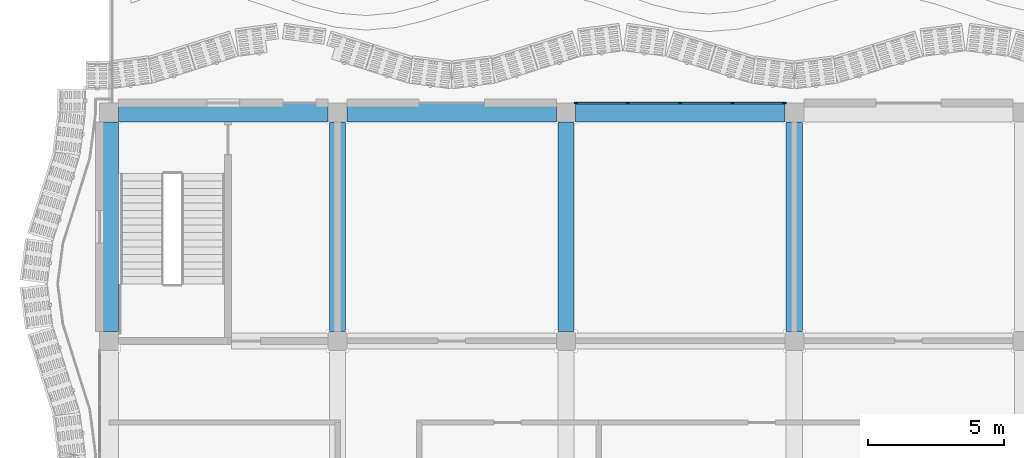
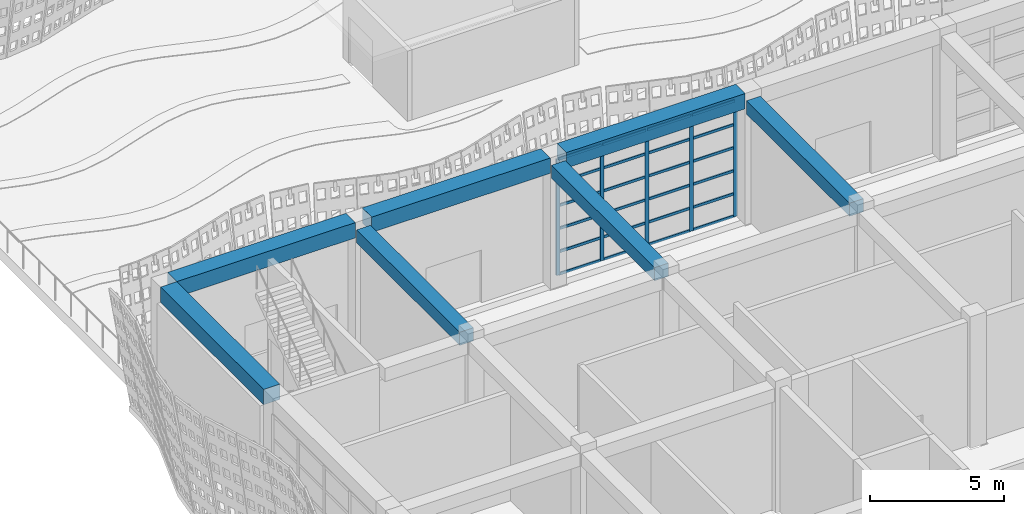
# One storey, part 26 of 210: 29 members, 7 beams, 1 element without a shape of its own.
"""IFC4 building model written with IfcOpenShell, lengths in metres."""

from ifc_helpers import new_model, si_unit, direction, frame, origin, origin_2d, place, context, subcontext, project, spatial, rectangle, extrude, material, material_profile, profile_set, type_object, element, aggregate, save


model = new_model("IFC4")

# Units and contexts
model_context = context("Model", 3, precision=1e-05, world=origin(), true_north=direction((0.0, 1.0)))
body_context = subcontext(model_context, "Body", "Model", "MODEL_VIEW")
ifc_project = project(units=[si_unit("LENGTHUNIT", "METRE"), si_unit("AREAUNIT", "SQUARE_METRE"), si_unit("VOLUMEUNIT", "CUBIC_METRE"), si_unit("PLANEANGLEUNIT", "RADIAN"), si_unit("MASSUNIT", "GRAM", prefix="KILO")], contexts=[model_context])

# Site, building, storey
site_placement = place(None, origin())
site = spatial("IfcSite", under=ifc_project, at=site_placement, CompositionType="ELEMENT")
building_placement = place(site_placement, origin())
building = spatial("IfcBuilding", under=site, at=building_placement, Name="Rain Tree Exposition and Congress Centre", CompositionType="ELEMENT")
storey_placement = place(building_placement, origin())
storey = spatial("IfcBuildingStorey", under=building, at=storey_placement, Name="L00", CompositionType="ELEMENT", Elevation=0.0)

# Beams
ifc_material_1 = material(Name="Precast concrete C50/60", Category="concrete")
ifc_material_profile_1 = material_profile(ifc_material_1, rectangle(XDim=0.60009765625, YDim=0.60009765625, at=origin_2d()), Name="RC 600x600")
ifc_profile_set_1 = profile_set([ifc_material_profile_1], Name="Precast concrete C50/60")
beam_type_1 = type_object("IfcBeamType", Name="Precast beam 600x600", PredefinedType="BEAM", material=ifc_profile_set_1)
for number, where, z_axis, x_axis, name in (
    (1, (8.39990234375, 42.35009765625, 5.35009765625), (0.0, 1.0, 0.0), (-1.0, 0.0, 0.0), "wing/beam/L00/L01/024"),
    (2, (16.800048828125, 42.35009765625, 5.35009765625), (0.0, 1.0, 0.0), (-1.0, 0.0, 0.0), "wing/beam/L00/L01/032"),
    (3, (25.199951171875, 42.35009765625, 5.35009765625), (0.0, 1.0, 0.0), (-1.0, 0.0, 0.0), "wing/beam/L00/L01/040"),
):
    element("IfcBeam", number, at=place(storey_placement, frame(where, z_axis=z_axis, x_axis=x_axis)), inside=storey, type_object=beam_type_1, Name=name, PredefinedType="BEAM", context=body_context, shape_type="SweptSolid", body=[
        extrude(rectangle(XDim=0.60009765625, YDim=0.60009765625, at=origin_2d()), origin(), (0.0, 0.0, 1.0), 7.699951171875),
    ])
ifc_material_2 = material(Name="Precast concrete C50/60", Category="concrete")
ifc_material_profile_2 = material_profile(ifc_material_2, rectangle(XDim=0.699951171875, YDim=0.699951171875, at=origin_2d()), Name="RC 700x700")
ifc_profile_set_2 = profile_set([ifc_material_profile_2], Name="Precast concrete C50/60")
beam_type_2 = type_object("IfcBeamType", Name="Precast spandrel beam 700x700", PredefinedType="SPANDREL", material=ifc_profile_set_2)
for number, where, z_axis, x_axis, name in (
    (4, (0.0, 42.35009765625, 5.64990234375), (0.0, 1.0, 0.0), (-1.0, 0.0, 0.0), "wing/beam/L00/L01/012"),
    (5, (0.35009765625, 50.39990234375, 5.64990234375), (1.0, 0.0, 0.0), (0.0, 1.0, 0.0), "wing/beam/L00/L01/061"),
    (6, (8.75, 50.39990234375, 5.64990234375), (1.0, 0.0, 0.0), (0.0, 1.0, 0.0), "wing/beam/L00/L01/063"),
):
    element("IfcBeam", number, at=place(storey_placement, frame(where, z_axis=z_axis, x_axis=x_axis)), inside=storey, type_object=beam_type_2, Name=name, PredefinedType="SPANDREL", context=body_context, shape_type="SweptSolid", body=[
        extrude(rectangle(XDim=0.699951171875, YDim=0.699951171875, at=origin_2d()), origin(), (0.0, 0.0, 1.0), 7.699951171875),
    ])
beam_placement = place(storey_placement, frame((17.14990234375, 50.39990234375, 5.64990234375), z_axis=(1.0, 0.0, 0.0), x_axis=(0.0, 1.0, 0.0)))
element("IfcBeam", 7, at=beam_placement, inside=storey, type_object=beam_type_2, Name="wing/beam/L00/L01/065", PredefinedType="SPANDREL", context=body_context, shape_type="SweptSolid", body=[
    extrude(rectangle(XDim=0.699951171875, YDim=0.699951171875, at=origin_2d()), origin(), (0.0, 0.0, 1.0), 7.7001953125),
])

# Curtain wall, members
ifc_material_3 = material(Name="Aluminium curtain wall", Category="aluminium")
curtain_wall_type = type_object("IfcCurtainWallType", Name="Wing curtain wall 1925", PredefinedType="NOTDEFINED", material=ifc_material_3)
curtain_wall_placement = place(storey_placement, origin())
curtain_wall = element("IfcCurtainWall", 8, at=curtain_wall_placement, inside=storey, type_object=curtain_wall_type, Name="Curtain wall CWW104", PredefinedType="NOTDEFINED")
ifc_material_4 = material(Name="Aluminium", Category="aluminium")
ifc_material_profile_3 = material_profile(ifc_material_4, rectangle(XDim=0.06005859375, YDim=0.159912109375, at=origin_2d()), Name="Aluminium 60x160")
ifc_profile_set_3 = profile_set([ifc_material_profile_3], Name="Aluminium")
member_type_1 = type_object("IfcMemberType", Name="Wing mullion 60x160", PredefinedType="MULLION", material=ifc_profile_set_3)
member_1_placement = place(storey_placement, frame((17.179931640625, 50.75, 0.0), z_axis=(0.0, 0.0, 1.0), x_axis=(0.0, 1.0, 0.0)))
member_1 = element("IfcMember", 9, at=member_1_placement, type_object=member_type_1, Name="CWW104 mullion 1", PredefinedType="MULLION", context=body_context, shape_type="SweptSolid", body=[
    extrude(rectangle(XDim=0.06005859375, YDim=0.159912109375, at=origin_2d()), origin(), (0.0, 0.0, 1.0), 5.300048828125),
])
member_2_placement = place(storey_placement, frame((19.074951171875, 50.75, 0.0), z_axis=(0.0, 0.0, 1.0), x_axis=(0.0, 1.0, 0.0)))
member_2 = element("IfcMember", 10, at=member_2_placement, type_object=member_type_1, Name="CWW104 mullion 2", PredefinedType="MULLION", context=body_context, shape_type="SweptSolid", body=[
    extrude(rectangle(XDim=0.06005859375, YDim=0.159912109375, at=origin_2d()), origin(), (0.0, 0.0, 1.0), 5.300048828125),
])
member_3_placement = place(storey_placement, frame((21.0, 50.75, 0.0), z_axis=(0.0, 0.0, 1.0), x_axis=(0.0, 1.0, 0.0)))
member_3 = element("IfcMember", 11, at=member_3_placement, type_object=member_type_1, Name="CWW104 mullion 3", PredefinedType="MULLION", context=body_context, shape_type="SweptSolid", body=[
    extrude(rectangle(XDim=0.06005859375, YDim=0.159912109375, at=origin_2d()), origin(), (0.0, 0.0, 1.0), 5.300048828125),
])
member_4_placement = place(storey_placement, frame((22.925048828125, 50.75, 0.0), z_axis=(0.0, 0.0, 1.0), x_axis=(0.0, 1.0, 0.0)))
member_4 = element("IfcMember", 12, at=member_4_placement, type_object=member_type_1, Name="CWW104 mullion 4", PredefinedType="MULLION", context=body_context, shape_type="SweptSolid", body=[
    extrude(rectangle(XDim=0.06005859375, YDim=0.159912109375, at=origin_2d()), origin(), (0.0, 0.0, 1.0), 5.300048828125),
])
member_5_placement = place(storey_placement, frame((24.820068359375, 50.75, 0.0), z_axis=(0.0, 0.0, 1.0), x_axis=(0.0, 1.0, 0.0)))
member_5 = element("IfcMember", 13, at=member_5_placement, type_object=member_type_1, Name="CWW104 mullion 5", PredefinedType="MULLION", context=body_context, shape_type="SweptSolid", body=[
    extrude(rectangle(XDim=0.06005859375, YDim=0.159912109375, at=origin_2d()), origin(), (0.0, 0.0, 1.0), 5.300048828125),
])
ifc_material_5 = material(Name="Aluminium", Category="aluminium")
ifc_material_profile_4 = material_profile(ifc_material_5, rectangle(XDim=0.06005859375, YDim=0.1201171875, at=origin_2d()), Name="Aluminium 60x120")
ifc_profile_set_4 = profile_set([ifc_material_profile_4], Name="Aluminium")
member_type_2 = type_object("IfcMemberType", Name="Wing transom 60x120", PredefinedType="USERDEFINED", material=ifc_profile_set_4)
member_6_placement = place(storey_placement, frame((17.2099609375, 50.75, 0.030029296875), z_axis=(1.0, 0.0, 0.0), x_axis=(0.0, 1.0, 0.0)))
member_6 = element("IfcMember", 14, at=member_6_placement, type_object=member_type_2, Name="CWW104 transom 1.1", ObjectType="TRANSOM", PredefinedType="USERDEFINED", context=body_context, shape_type="SweptSolid", body=[
    extrude(rectangle(XDim=0.06005859375, YDim=0.1201171875, at=origin_2d()), origin(), (0.0, 0.0, 1.0), 1.8349609375),
])
member_7_placement = place(storey_placement, frame((17.2099609375, 50.75, 1.050048828125), z_axis=(1.0, 0.0, 0.0), x_axis=(0.0, 1.0, 0.0)))
member_7 = element("IfcMember", 15, at=member_7_placement, type_object=member_type_2, Name="CWW104 transom 1.2", ObjectType="TRANSOM", PredefinedType="USERDEFINED", context=body_context, shape_type="SweptSolid", body=[
    extrude(rectangle(XDim=0.06005859375, YDim=0.1201171875, at=origin_2d()), origin(), (0.0, 0.0, 1.0), 1.8349609375),
])
member_8_placement = place(storey_placement, frame((17.2099609375, 50.75, 2.10009765625), z_axis=(1.0, 0.0, 0.0), x_axis=(0.0, 1.0, 0.0)))
member_8 = element("IfcMember", 16, at=member_8_placement, type_object=member_type_2, Name="CWW104 transom 1.3", ObjectType="TRANSOM", PredefinedType="USERDEFINED", context=body_context, shape_type="SweptSolid", body=[
    extrude(rectangle(XDim=0.06005859375, YDim=0.1201171875, at=origin_2d()), origin(), (0.0, 0.0, 1.0), 1.8349609375),
])
member_9_placement = place(storey_placement, frame((17.2099609375, 50.75, 3.14990234375), z_axis=(1.0, 0.0, 0.0), x_axis=(0.0, 1.0, 0.0)))
member_9 = element("IfcMember", 17, at=member_9_placement, type_object=member_type_2, Name="CWW104 transom 1.4", ObjectType="TRANSOM", PredefinedType="USERDEFINED", context=body_context, shape_type="SweptSolid", body=[
    extrude(rectangle(XDim=0.06005859375, YDim=0.1201171875, at=origin_2d()), origin(), (0.0, 0.0, 1.0), 1.8349609375),
])
member_10_placement = place(storey_placement, frame((17.2099609375, 50.75, 4.199951171875), z_axis=(1.0, 0.0, 0.0), x_axis=(0.0, 1.0, 0.0)))
member_10 = element("IfcMember", 18, at=member_10_placement, type_object=member_type_2, Name="CWW104 transom 1.5", ObjectType="TRANSOM", PredefinedType="USERDEFINED", context=body_context, shape_type="SweptSolid", body=[
    extrude(rectangle(XDim=0.06005859375, YDim=0.1201171875, at=origin_2d()), origin(), (0.0, 0.0, 1.0), 1.8349609375),
])
member_11_placement = place(storey_placement, frame((17.2099609375, 50.75, 5.27001953125), z_axis=(1.0, 0.0, 0.0), x_axis=(0.0, 1.0, 0.0)))
member_11 = element("IfcMember", 19, at=member_11_placement, type_object=member_type_2, Name="CWW104 transom 1.6", ObjectType="TRANSOM", PredefinedType="USERDEFINED", context=body_context, shape_type="SweptSolid", body=[
    extrude(rectangle(XDim=0.06005859375, YDim=0.1201171875, at=origin_2d()), origin(), (0.0, 0.0, 1.0), 1.8349609375),
])
member_12_placement = place(storey_placement, frame((19.10498046875, 50.75, 0.030029296875), z_axis=(1.0, 0.0, 0.0), x_axis=(0.0, 1.0, 0.0)))
member_12 = element("IfcMember", 20, at=member_12_placement, type_object=member_type_2, Name="CWW104 transom 2.1", ObjectType="TRANSOM", PredefinedType="USERDEFINED", context=body_context, shape_type="SweptSolid", body=[
    extrude(rectangle(XDim=0.06005859375, YDim=0.1201171875, at=origin_2d()), origin(), (0.0, 0.0, 1.0), 1.864990234375),
])
member_13_placement = place(storey_placement, frame((19.10498046875, 50.75, 1.050048828125), z_axis=(1.0, 0.0, 0.0), x_axis=(0.0, 1.0, 0.0)))
member_13 = element("IfcMember", 21, at=member_13_placement, type_object=member_type_2, Name="CWW104 transom 2.2", ObjectType="TRANSOM", PredefinedType="USERDEFINED", context=body_context, shape_type="SweptSolid", body=[
    extrude(rectangle(XDim=0.06005859375, YDim=0.1201171875, at=origin_2d()), origin(), (0.0, 0.0, 1.0), 1.864990234375),
])
member_14_placement = place(storey_placement, frame((19.10498046875, 50.75, 2.10009765625), z_axis=(1.0, 0.0, 0.0), x_axis=(0.0, 1.0, 0.0)))
member_14 = element("IfcMember", 22, at=member_14_placement, type_object=member_type_2, Name="CWW104 transom 2.3", ObjectType="TRANSOM", PredefinedType="USERDEFINED", context=body_context, shape_type="SweptSolid", body=[
    extrude(rectangle(XDim=0.06005859375, YDim=0.1201171875, at=origin_2d()), origin(), (0.0, 0.0, 1.0), 1.864990234375),
])
member_15_placement = place(storey_placement, frame((19.10498046875, 50.75, 3.14990234375), z_axis=(1.0, 0.0, 0.0), x_axis=(0.0, 1.0, 0.0)))
member_15 = element("IfcMember", 23, at=member_15_placement, type_object=member_type_2, Name="CWW104 transom 2.4", ObjectType="TRANSOM", PredefinedType="USERDEFINED", context=body_context, shape_type="SweptSolid", body=[
    extrude(rectangle(XDim=0.06005859375, YDim=0.1201171875, at=origin_2d()), origin(), (0.0, 0.0, 1.0), 1.864990234375),
])
member_16_placement = place(storey_placement, frame((19.10498046875, 50.75, 4.199951171875), z_axis=(1.0, 0.0, 0.0), x_axis=(0.0, 1.0, 0.0)))
member_16 = element("IfcMember", 24, at=member_16_placement, type_object=member_type_2, Name="CWW104 transom 2.5", ObjectType="TRANSOM", PredefinedType="USERDEFINED", context=body_context, shape_type="SweptSolid", body=[
    extrude(rectangle(XDim=0.06005859375, YDim=0.1201171875, at=origin_2d()), origin(), (0.0, 0.0, 1.0), 1.864990234375),
])
member_17_placement = place(storey_placement, frame((19.10498046875, 50.75, 5.27001953125), z_axis=(1.0, 0.0, 0.0), x_axis=(0.0, 1.0, 0.0)))
member_17 = element("IfcMember", 25, at=member_17_placement, type_object=member_type_2, Name="CWW104 transom 2.6", ObjectType="TRANSOM", PredefinedType="USERDEFINED", context=body_context, shape_type="SweptSolid", body=[
    extrude(rectangle(XDim=0.06005859375, YDim=0.1201171875, at=origin_2d()), origin(), (0.0, 0.0, 1.0), 1.864990234375),
])
member_18_placement = place(storey_placement, frame((21.030029296875, 50.75, 0.030029296875), z_axis=(1.0, 0.0, 0.0), x_axis=(0.0, 1.0, 0.0)))
member_18 = element("IfcMember", 26, at=member_18_placement, type_object=member_type_2, Name="CWW104 transom 3.1", ObjectType="TRANSOM", PredefinedType="USERDEFINED", context=body_context, shape_type="SweptSolid", body=[
    extrude(rectangle(XDim=0.06005859375, YDim=0.1201171875, at=origin_2d()), origin(), (0.0, 0.0, 1.0), 1.864990234375),
])
member_19_placement = place(storey_placement, frame((21.030029296875, 50.75, 1.050048828125), z_axis=(1.0, 0.0, 0.0), x_axis=(0.0, 1.0, 0.0)))
member_19 = element("IfcMember", 27, at=member_19_placement, type_object=member_type_2, Name="CWW104 transom 3.2", ObjectType="TRANSOM", PredefinedType="USERDEFINED", context=body_context, shape_type="SweptSolid", body=[
    extrude(rectangle(XDim=0.06005859375, YDim=0.1201171875, at=origin_2d()), origin(), (0.0, 0.0, 1.0), 1.864990234375),
])
member_20_placement = place(storey_placement, frame((21.030029296875, 50.75, 2.10009765625), z_axis=(1.0, 0.0, 0.0), x_axis=(0.0, 1.0, 0.0)))
member_20 = element("IfcMember", 28, at=member_20_placement, type_object=member_type_2, Name="CWW104 transom 3.3", ObjectType="TRANSOM", PredefinedType="USERDEFINED", context=body_context, shape_type="SweptSolid", body=[
    extrude(rectangle(XDim=0.06005859375, YDim=0.1201171875, at=origin_2d()), origin(), (0.0, 0.0, 1.0), 1.864990234375),
])
member_21_placement = place(storey_placement, frame((21.030029296875, 50.75, 3.14990234375), z_axis=(1.0, 0.0, 0.0), x_axis=(0.0, 1.0, 0.0)))
member_21 = element("IfcMember", 29, at=member_21_placement, type_object=member_type_2, Name="CWW104 transom 3.4", ObjectType="TRANSOM", PredefinedType="USERDEFINED", context=body_context, shape_type="SweptSolid", body=[
    extrude(rectangle(XDim=0.06005859375, YDim=0.1201171875, at=origin_2d()), origin(), (0.0, 0.0, 1.0), 1.864990234375),
])
member_22_placement = place(storey_placement, frame((21.030029296875, 50.75, 4.199951171875), z_axis=(1.0, 0.0, 0.0), x_axis=(0.0, 1.0, 0.0)))
member_22 = element("IfcMember", 30, at=member_22_placement, type_object=member_type_2, Name="CWW104 transom 3.5", ObjectType="TRANSOM", PredefinedType="USERDEFINED", context=body_context, shape_type="SweptSolid", body=[
    extrude(rectangle(XDim=0.06005859375, YDim=0.1201171875, at=origin_2d()), origin(), (0.0, 0.0, 1.0), 1.864990234375),
])
member_23_placement = place(storey_placement, frame((21.030029296875, 50.75, 5.27001953125), z_axis=(1.0, 0.0, 0.0), x_axis=(0.0, 1.0, 0.0)))
member_23 = element("IfcMember", 31, at=member_23_placement, type_object=member_type_2, Name="CWW104 transom 3.6", ObjectType="TRANSOM", PredefinedType="USERDEFINED", context=body_context, shape_type="SweptSolid", body=[
    extrude(rectangle(XDim=0.06005859375, YDim=0.1201171875, at=origin_2d()), origin(), (0.0, 0.0, 1.0), 1.864990234375),
])
member_24_placement = place(storey_placement, frame((22.955078125, 50.75, 0.030029296875), z_axis=(1.0, 0.0, 0.0), x_axis=(0.0, 1.0, 0.0)))
member_24 = element("IfcMember", 32, at=member_24_placement, type_object=member_type_2, Name="CWW104 transom 4.1", ObjectType="TRANSOM", PredefinedType="USERDEFINED", context=body_context, shape_type="SweptSolid", body=[
    extrude(rectangle(XDim=0.06005859375, YDim=0.1201171875, at=origin_2d()), origin(), (0.0, 0.0, 1.0), 1.8349609375),
])
member_25_placement = place(storey_placement, frame((22.955078125, 50.75, 1.050048828125), z_axis=(1.0, 0.0, 0.0), x_axis=(0.0, 1.0, 0.0)))
member_25 = element("IfcMember", 33, at=member_25_placement, type_object=member_type_2, Name="CWW104 transom 4.2", ObjectType="TRANSOM", PredefinedType="USERDEFINED", context=body_context, shape_type="SweptSolid", body=[
    extrude(rectangle(XDim=0.06005859375, YDim=0.1201171875, at=origin_2d()), origin(), (0.0, 0.0, 1.0), 1.8349609375),
])
member_26_placement = place(storey_placement, frame((22.955078125, 50.75, 2.10009765625), z_axis=(1.0, 0.0, 0.0), x_axis=(0.0, 1.0, 0.0)))
member_26 = element("IfcMember", 34, at=member_26_placement, type_object=member_type_2, Name="CWW104 transom 4.3", ObjectType="TRANSOM", PredefinedType="USERDEFINED", context=body_context, shape_type="SweptSolid", body=[
    extrude(rectangle(XDim=0.06005859375, YDim=0.1201171875, at=origin_2d()), origin(), (0.0, 0.0, 1.0), 1.8349609375),
])
member_27_placement = place(storey_placement, frame((22.955078125, 50.75, 3.14990234375), z_axis=(1.0, 0.0, 0.0), x_axis=(0.0, 1.0, 0.0)))
member_27 = element("IfcMember", 35, at=member_27_placement, type_object=member_type_2, Name="CWW104 transom 4.4", ObjectType="TRANSOM", PredefinedType="USERDEFINED", context=body_context, shape_type="SweptSolid", body=[
    extrude(rectangle(XDim=0.06005859375, YDim=0.1201171875, at=origin_2d()), origin(), (0.0, 0.0, 1.0), 1.8349609375),
])
member_28_placement = place(storey_placement, frame((22.955078125, 50.75, 4.199951171875), z_axis=(1.0, 0.0, 0.0), x_axis=(0.0, 1.0, 0.0)))
member_28 = element("IfcMember", 36, at=member_28_placement, type_object=member_type_2, Name="CWW104 transom 4.5", ObjectType="TRANSOM", PredefinedType="USERDEFINED", context=body_context, shape_type="SweptSolid", body=[
    extrude(rectangle(XDim=0.06005859375, YDim=0.1201171875, at=origin_2d()), origin(), (0.0, 0.0, 1.0), 1.8349609375),
])
member_29_placement = place(storey_placement, frame((22.955078125, 50.75, 5.27001953125), z_axis=(1.0, 0.0, 0.0), x_axis=(0.0, 1.0, 0.0)))
member_29 = element("IfcMember", 37, at=member_29_placement, type_object=member_type_2, Name="CWW104 transom 4.6", ObjectType="TRANSOM", PredefinedType="USERDEFINED", context=body_context, shape_type="SweptSolid", body=[
    extrude(rectangle(XDim=0.06005859375, YDim=0.1201171875, at=origin_2d()), origin(), (0.0, 0.0, 1.0), 1.8349609375),
])
aggregate(curtain_wall, [member_1, member_2, member_3, member_4, member_5, member_6, member_7, member_8, member_9, member_10, member_11, member_12, member_13, member_14, member_15, member_16, member_17, member_18, member_19, member_20, member_21, member_22, member_23, member_24, member_25, member_26, member_27, member_28, member_29])

save(model, "model.ifc")
